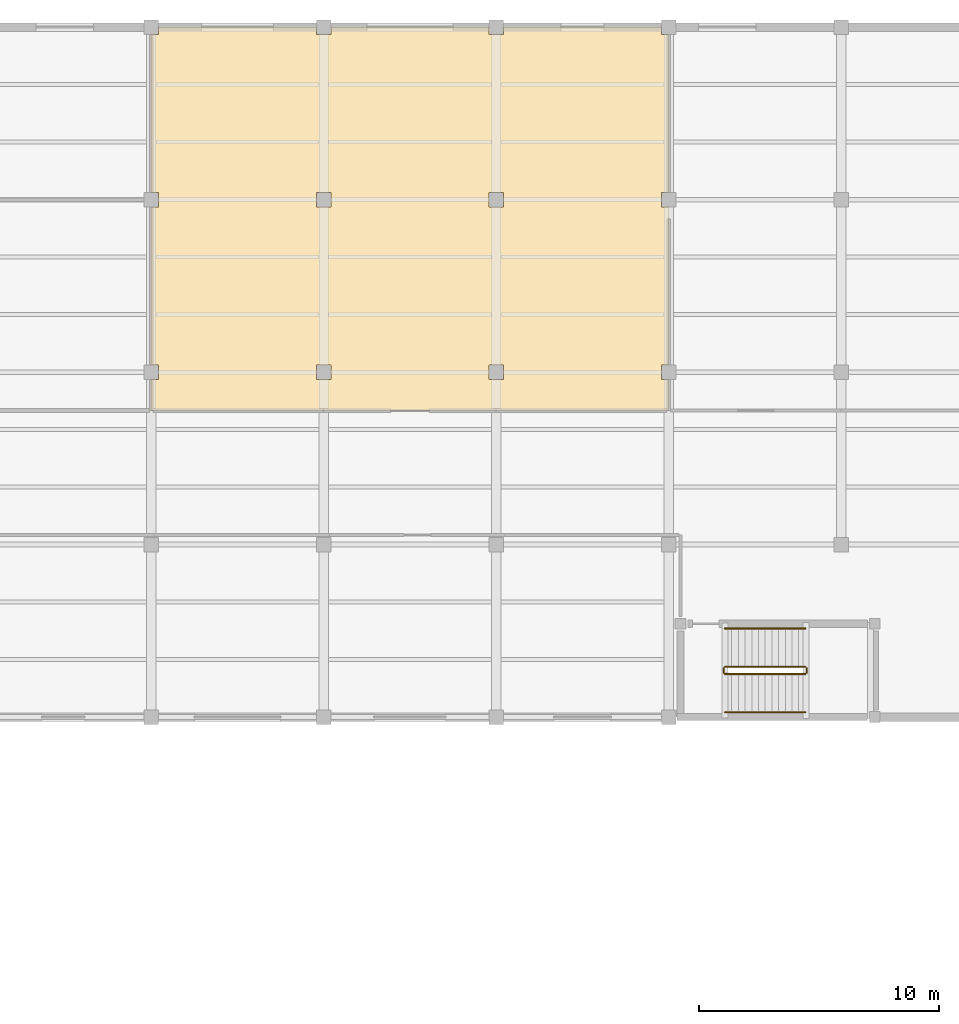
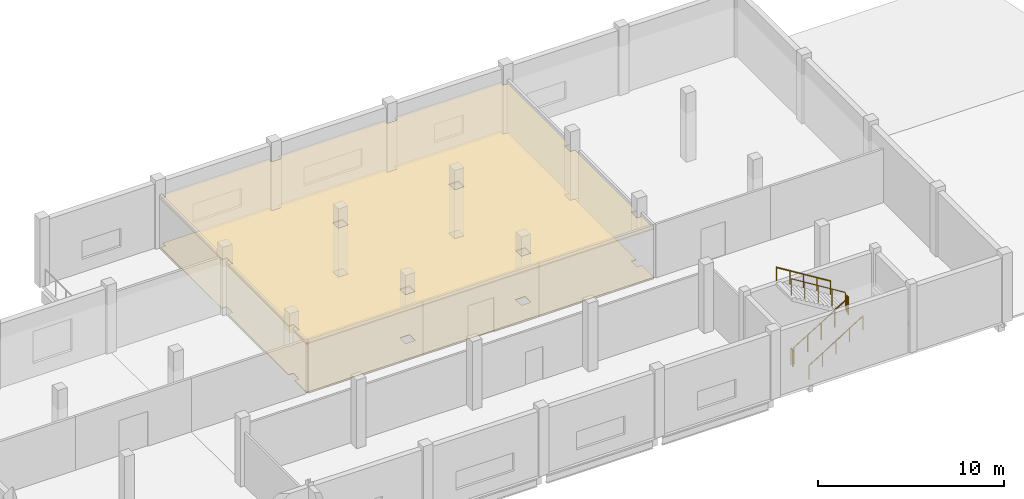
# One storey, part 75 of 76: 6 railings, 2 coverings.
"""IFC4 building model written with IfcOpenShell, lengths in metres."""

from ifc_helpers import new_model, si_unit, direction, frame, origin, origin_2d, place, context, subcontext, project, spatial, polyline, circle, outline, extrude, material, layer, layer_set, type_object, element, save


model = new_model("IFC4")

# Units and contexts
model_context = context("Model", 3, precision=1e-05, world=origin(), true_north=direction((0.0, 1.0)))
body_context = subcontext(model_context, "Body", "Model", "MODEL_VIEW")
ifc_project = project(units=[si_unit("LENGTHUNIT", "METRE"), si_unit("AREAUNIT", "SQUARE_METRE"), si_unit("VOLUMEUNIT", "CUBIC_METRE"), si_unit("PLANEANGLEUNIT", "RADIAN"), si_unit("MASSUNIT", "GRAM", prefix="KILO"), si_unit("THERMODYNAMICTEMPERATUREUNIT", "KELVIN"), si_unit("POWERUNIT", "WATT")], contexts=[model_context])

# Site, building, storey
site_placement = place(None, origin())
site = spatial("IfcSite", under=ifc_project, at=site_placement, CompositionType="ELEMENT")
building_placement = place(site_placement, origin())
building = spatial("IfcBuilding", under=site, at=building_placement, Name="Kaldorven Railside Theatre", CompositionType="ELEMENT")
storey_placement = place(building_placement, frame((0.0, 0.0, 14.39990234375)))
storey = spatial("IfcBuildingStorey", under=building, at=storey_placement, Name="L03", CompositionType="ELEMENT", Elevation=14.39990234375)

# Coverings
ifc_material_1 = material(Name="Acoustic hardwood timber", Category="wood")
ifc_layer_1 = layer(ifc_material_1, 0.080078125, Name="Acoustic hardwood timber")
ifc_layer_set_1 = layer_set([ifc_layer_1], Name="Acoustic hardwood timber")
covering_type_1 = type_object("IfcCoveringType", Name="COV-CLG-02", PredefinedType="CEILING", material=ifc_layer_set_1)
covering_1_placement = place(storey_placement, frame((0.0, 0.0, 3.170166015625)))
element("IfcCovering", 1, at=covering_1_placement, inside=storey, type_object=covering_type_1, Name="Orchestra Rehearsal Hall Acoustic Ceiling 021", PredefinedType="CEILING", context=body_context, shape_type="SweptSolid", body=[
    extrude(outline(polyline([(152.0, 125.60009765625), (130.39990234375, 125.60009765625), (130.39990234375, 126.89794921875), (130.701904296875, 126.89794921875), (130.701904296875, 127.501953125), (130.39990234375, 127.501953125), (130.39990234375, 134.097900390625), (130.701904296875, 134.097900390625), (130.701904296875, 134.701904296875), (130.39990234375, 134.701904296875), (130.39990234375, 141.298095703125), (130.701904296875, 141.298095703125), (130.701904296875, 141.60009765625), (137.298095703125, 141.60009765625), (137.298095703125, 141.298095703125), (137.902099609375, 141.298095703125), (137.902099609375, 141.60009765625), (144.498046875, 141.60009765625), (144.498046875, 141.298095703125), (145.10205078125, 141.298095703125), (145.10205078125, 141.60009765625), (151.697998046875, 141.60009765625), (151.697998046875, 141.298095703125), (152.0, 141.298095703125), (152.0, 134.701904296875), (151.697998046875, 134.701904296875), (151.697998046875, 134.097900390625), (152.0, 134.097900390625), (152.0, 127.501953125), (151.697998046875, 127.501953125), (151.697998046875, 126.89794921875), (152.0, 126.89794921875), (152.0, 125.60009765625)]), holes=[polyline([(144.498046875, 127.501953125), (144.498046875, 126.89794921875), (145.10205078125, 126.89794921875), (145.10205078125, 127.501953125), (144.498046875, 127.501953125)]), polyline([(137.298095703125, 127.501953125), (137.298095703125, 126.89794921875), (137.902099609375, 126.89794921875), (137.902099609375, 127.501953125), (137.298095703125, 127.501953125)]), polyline([(144.498046875, 134.701904296875), (144.498046875, 134.097900390625), (145.10205078125, 134.097900390625), (145.10205078125, 134.701904296875), (144.498046875, 134.701904296875)]), polyline([(137.298095703125, 134.701904296875), (137.298095703125, 134.097900390625), (137.902099609375, 134.097900390625), (137.902099609375, 134.701904296875), (137.298095703125, 134.701904296875)])]), origin(), (0.0, 0.0, 1.0), 0.079833984375),
])
ifc_layer_2 = layer(ifc_material_1, 0.030029296875, Name="Acoustic hardwood timber")
ifc_layer_set_2 = layer_set([ifc_layer_2], Name="Acoustic hardwood timber")
covering_type_2 = type_object("IfcCoveringType", Name="COV-FLR-01", PredefinedType="FLOORING", material=ifc_layer_set_2)
covering_2_placement = place(storey_placement, origin())
element("IfcCovering", 2, at=covering_2_placement, inside=storey, type_object=covering_type_2, Name="Orchestra Rehearsal Hall Finish Flooring FLR-009", PredefinedType="FLOORING", context=body_context, shape_type="SweptSolid", body=[
    extrude(outline(polyline([(152.0, 125.60009765625), (130.39990234375, 125.60009765625), (130.39990234375, 126.89794921875), (130.701904296875, 126.89794921875), (130.701904296875, 127.501953125), (130.39990234375, 127.501953125), (130.39990234375, 134.097900390625), (130.701904296875, 134.097900390625), (130.701904296875, 134.701904296875), (130.39990234375, 134.701904296875), (130.39990234375, 141.298095703125), (130.701904296875, 141.298095703125), (130.701904296875, 141.60009765625), (137.298095703125, 141.60009765625), (137.298095703125, 141.298095703125), (137.902099609375, 141.298095703125), (137.902099609375, 141.60009765625), (144.498046875, 141.60009765625), (144.498046875, 141.298095703125), (145.10205078125, 141.298095703125), (145.10205078125, 141.60009765625), (151.697998046875, 141.60009765625), (151.697998046875, 141.298095703125), (152.0, 141.298095703125), (152.0, 134.701904296875), (151.697998046875, 134.701904296875), (151.697998046875, 134.097900390625), (152.0, 134.097900390625), (152.0, 127.501953125), (151.697998046875, 127.501953125), (151.697998046875, 126.89794921875), (152.0, 126.89794921875), (152.0, 125.60009765625)]), holes=[polyline([(144.498046875, 127.501953125), (144.498046875, 126.89794921875), (145.10205078125, 126.89794921875), (145.10205078125, 127.501953125), (144.498046875, 127.501953125)]), polyline([(137.298095703125, 127.501953125), (137.298095703125, 126.89794921875), (137.902099609375, 126.89794921875), (137.902099609375, 127.501953125), (137.298095703125, 127.501953125)]), polyline([(144.498046875, 134.701904296875), (144.498046875, 134.097900390625), (145.10205078125, 134.097900390625), (145.10205078125, 134.701904296875), (144.498046875, 134.701904296875)]), polyline([(137.298095703125, 134.701904296875), (137.298095703125, 134.097900390625), (137.902099609375, 134.097900390625), (137.902099609375, 134.701904296875), (137.298095703125, 134.701904296875)])]), origin(), (0.0, 0.0, 1.0), 0.030029296875),
])

# Railings
ifc_material_2 = material(Name="Steel S355", Category="steel")
railing_type_1 = type_object("IfcRailingType", Name="RLG-STG-1100", PredefinedType="BALUSTRADE", material=ifc_material_2)
railing_1_placement = place(storey_placement, frame((154.35009765625, 114.60009765625, 0.173095703125)))
element("IfcRailing", 3, at=railing_1_placement, inside=storey, type_object=railing_type_1, Name="L03 ST-08 stair guard 1", PredefinedType="BALUSTRADE", context=body_context, shape_type="SweptSolid", body=[
    extrude(circle(Radius=0.02392578125, at=origin_2d()), frame((0.0, 0.0, 1.09619140625), z_axis=(0.850606129759, 0.0, 0.525803396734), x_axis=(0.0, 1.0, 0.0)), (0.0, 0.0, 1.0), 3.949951171875),
    extrude(circle(Radius=0.02099609375, at=origin_2d()), origin(), (0.0, 0.0, 1.0), 1.072021484375),
    extrude(circle(Radius=0.02099609375, at=origin_2d()), frame((0.83984375, 0.0, 0.519287109375)), (0.0, 0.0, 1.0), 1.072021484375),
    extrude(circle(Radius=0.02099609375, at=origin_2d()), frame((1.679931640625, 0.0, 1.03857421875)), (0.0, 0.0, 1.0), 1.072021484375),
    extrude(circle(Radius=0.02099609375, at=origin_2d()), frame((2.52001953125, 0.0, 1.5576171875)), (0.0, 0.0, 1.0), 1.072021484375),
    extrude(circle(Radius=0.02099609375, at=origin_2d()), frame((3.35986328125, 0.0, 2.076904296875)), (0.0, 0.0, 1.0), 1.072021484375),
])
railing_2_placement = place(storey_placement, frame((157.760009765625, 114.64990234375, 2.25)))
element("IfcRailing", 4, at=railing_2_placement, inside=storey, type_object=railing_type_1, Name="L03 ST-08 stair guard 2", PredefinedType="BALUSTRADE", context=body_context, shape_type="SweptSolid", body=[
    extrude(circle(Radius=0.02392578125, at=origin_2d()), frame((0.0, 0.0, 1.09619140625), z_axis=(0.0, 1.0, 0.0), x_axis=(-1.0, 0.0, 0.0)), (0.0, 0.0, 1.0), 0.2001953125),
    extrude(circle(Radius=0.02099609375, at=origin_2d()), origin(), (0.0, 0.0, 1.0), 1.072021484375),
    extrude(circle(Radius=0.02099609375, at=origin_2d()), frame((0.0, 0.2001953125, 0.0)), (0.0, 0.0, 1.0), 1.072021484375),
])
railing_3_placement = place(storey_placement, frame((157.7099609375, 114.89990234375, 2.423095703125)))
element("IfcRailing", 5, at=railing_3_placement, inside=storey, type_object=railing_type_1, Name="L03 ST-08 stair guard 3", PredefinedType="BALUSTRADE", context=body_context, shape_type="SweptSolid", body=[
    extrude(circle(Radius=0.02392578125, at=origin_2d()), frame((0.0, 0.0, 1.09619140625), z_axis=(-0.850606129759, 0.0, 0.525803396734), x_axis=(0.0, -1.0, 0.0)), (0.0, 0.0, 1.0), 3.949951171875),
    extrude(circle(Radius=0.02099609375, at=origin_2d()), origin(), (0.0, 0.0, 1.0), 1.072021484375),
    extrude(circle(Radius=0.02099609375, at=origin_2d()), frame((-0.83984375, 0.0, 0.519287109375)), (0.0, 0.0, 1.0), 1.072021484375),
    extrude(circle(Radius=0.02099609375, at=origin_2d()), frame((-1.679931640625, 0.0, 1.03857421875)), (0.0, 0.0, 1.0), 1.072021484375),
    extrude(circle(Radius=0.02099609375, at=origin_2d()), frame((-2.52001953125, 0.0, 1.5576171875)), (0.0, 0.0, 1.0), 1.072021484375),
    extrude(circle(Radius=0.02099609375, at=origin_2d()), frame((-3.35986328125, 0.0, 2.076904296875)), (0.0, 0.0, 1.0), 1.072021484375),
])
railing_4_placement = place(storey_placement, frame((154.300048828125, 114.64990234375, 0.0)))
element("IfcRailing", 6, at=railing_4_placement, inside=storey, type_object=railing_type_1, Name="L03 ST-08 stair guard 4", PredefinedType="BALUSTRADE", context=body_context, shape_type="SweptSolid", body=[
    extrude(circle(Radius=0.02392578125, at=origin_2d()), frame((0.0, 0.0, 1.09619140625), z_axis=(0.0, 1.0, 0.0), x_axis=(-1.0, 0.0, 0.0)), (0.0, 0.0, 1.0), 0.2001953125),
    extrude(circle(Radius=0.02099609375, at=origin_2d()), origin(), (0.0, 0.0, 1.0), 1.072021484375),
    extrude(circle(Radius=0.02099609375, at=origin_2d()), frame((0.0, 0.2001953125, 0.0)), (0.0, 0.0, 1.0), 1.072021484375),
])
railing_type_2 = type_object("IfcRailingType", Name="RLG-STH-900", PredefinedType="HANDRAIL", material=ifc_material_2)
railing_5_placement = place(storey_placement, frame((154.35009765625, 113.0, 0.173095703125)))
element("IfcRailing", 7, at=railing_5_placement, inside=storey, type_object=railing_type_2, Name="L03 ST-08 stair handrail 1", PredefinedType="HANDRAIL", context=body_context, shape_type="SweptSolid", body=[
    extrude(circle(Radius=0.02392578125, at=origin_2d()), frame((0.0, 0.0, 0.8759765625), z_axis=(0.850606129759, 0.0, 0.525803396734), x_axis=(0.0, 1.0, 0.0)), (0.0, 0.0, 1.0), 3.949951171875),
    extrude(circle(Radius=0.02099609375, at=origin_2d()), origin(), (0.0, 0.0, 1.0), 0.851806640625),
    extrude(circle(Radius=0.02099609375, at=origin_2d()), frame((0.83984375, 0.0, 0.519287109375)), (0.0, 0.0, 1.0), 0.851806640625),
    extrude(circle(Radius=0.02099609375, at=origin_2d()), frame((1.679931640625, 0.0, 1.03857421875)), (0.0, 0.0, 1.0), 0.851806640625),
    extrude(circle(Radius=0.02099609375, at=origin_2d()), frame((2.52001953125, 0.0, 1.5576171875)), (0.0, 0.0, 1.0), 0.851806640625),
    extrude(circle(Radius=0.02099609375, at=origin_2d()), frame((3.35986328125, 0.0, 2.076904296875)), (0.0, 0.0, 1.0), 0.851806640625),
])
railing_6_placement = place(storey_placement, frame((157.7099609375, 116.5, 2.423095703125)))
element("IfcRailing", 8, at=railing_6_placement, inside=storey, type_object=railing_type_2, Name="L03 ST-08 stair handrail 2", PredefinedType="HANDRAIL", context=body_context, shape_type="SweptSolid", body=[
    extrude(circle(Radius=0.02392578125, at=origin_2d()), frame((0.0, 0.0, 0.8759765625), z_axis=(-0.850606129759, 0.0, 0.525803396734), x_axis=(0.0, -1.0, 0.0)), (0.0, 0.0, 1.0), 3.949951171875),
    extrude(circle(Radius=0.02099609375, at=origin_2d()), origin(), (0.0, 0.0, 1.0), 0.851806640625),
    extrude(circle(Radius=0.02099609375, at=origin_2d()), frame((-0.83984375, 0.0, 0.519287109375)), (0.0, 0.0, 1.0), 0.851806640625),
    extrude(circle(Radius=0.02099609375, at=origin_2d()), frame((-1.679931640625, 0.0, 1.03857421875)), (0.0, 0.0, 1.0), 0.851806640625),
    extrude(circle(Radius=0.02099609375, at=origin_2d()), frame((-2.52001953125, 0.0, 1.5576171875)), (0.0, 0.0, 1.0), 0.851806640625),
    extrude(circle(Radius=0.02099609375, at=origin_2d()), frame((-3.35986328125, 0.0, 2.076904296875)), (0.0, 0.0, 1.0), 0.851806640625),
])

save(model, "model.ifc")
